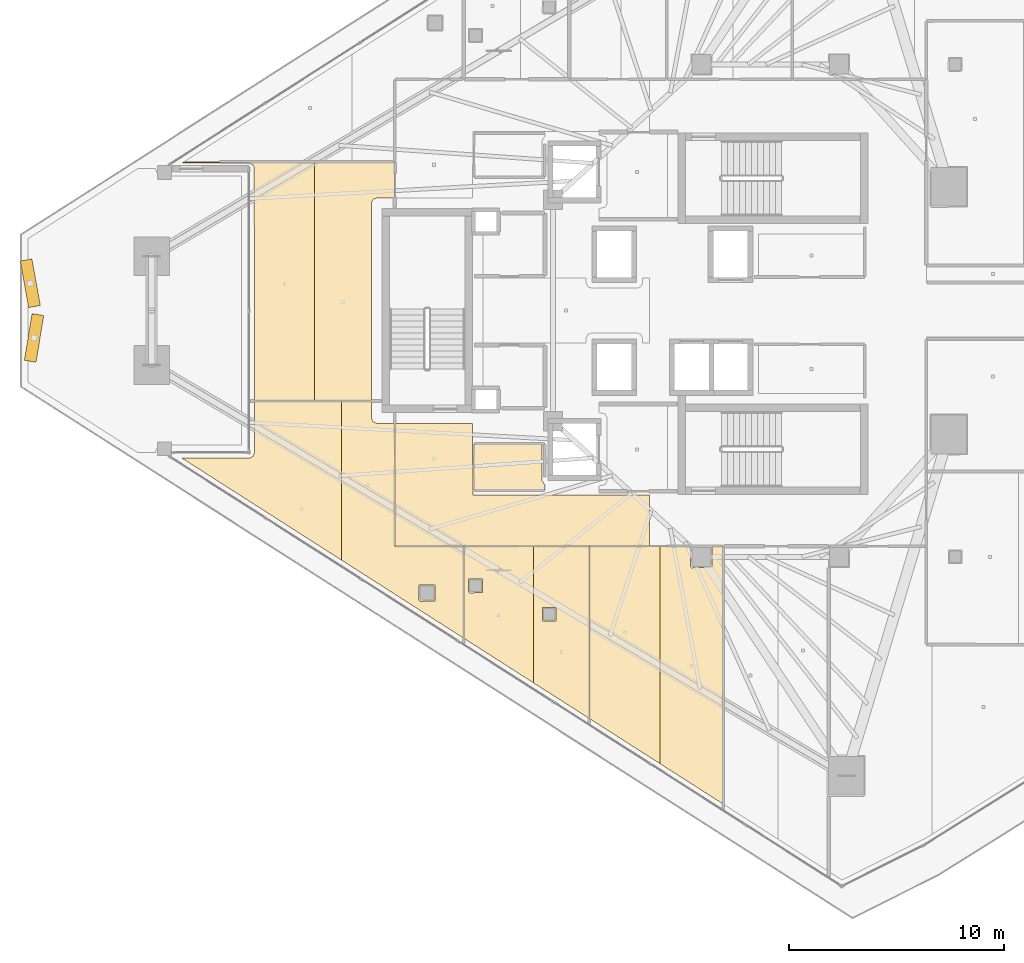
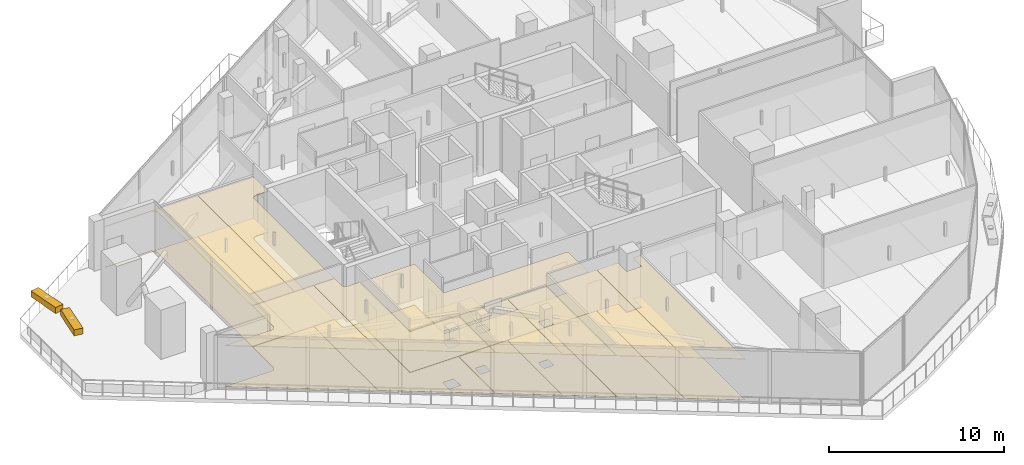
# One storey, part 35 of 40: 19 coverings, 2 shading devices.
"""IFC4 building model written with IfcOpenShell, lengths in metres."""

import ifcopenshell
import ifcopenshell.guid

model = None  # the IFC model being written
_history = None  # IfcOwnerHistory: only IFC2X3 demands one
_inside = {}  # id of a spatial element -> (the spatial element, [elements in it])
_under = {}  # id of a project, library or spatial element -> (it, [spatial elements below it])
_declared = {}  # id of a project -> (the project, [libraries it declares])
_typed = {}  # id of a type object -> (the type object, [elements of that type])
_made_of = {}  # id of a material, layer set ... -> (it, [elements and type objects made of it])


def new_model(schema):
    """Start an empty IFC model of exactly this schema.

    Asked for "IFC4X3", IfcOpenShell would pick the latest addendum, in which some entities
    have other attributes; the version numbers below select the first issue.
    IFC2X3 requires an IfcOwnerHistory on every rooted entity: one is made here for all.
    """
    global model, _history
    if schema == "IFC4X3":
        model = ifcopenshell.file(schema_version=(4, 3, 0, 0))
    else:
        model = ifcopenshell.file(schema=schema)
    _inside.clear()
    _under.clear()
    _declared.clear()
    _typed.clear()
    _made_of.clear()
    _history = None
    if model.schema == "IFC2X3":
        org = make("IfcOrganization", Name="unknown")
        user = make(
            "IfcPersonAndOrganization",
            ThePerson=make("IfcPerson", FamilyName="unknown"),
            TheOrganization=org,
        )
        app = make(
            "IfcApplication",
            ApplicationDeveloper=org,
            Version="unknown",
            ApplicationFullName="unknown",
            ApplicationIdentifier="unknown",
        )
        _history = make(
            "IfcOwnerHistory",
            OwningUser=user,
            OwningApplication=app,
            ChangeAction="ADDED",
            CreationDate=0,
        )
    return model


def make(cls, **values):
    """One entity of the class cls with the attributes given. An attribute that is None is left unset."""
    return model.create_entity(
        cls, **{name: value for name, value in values.items() if value is not None}
    )


def rooted(cls, **values):
    """An entity with a GlobalId (a new one), such as an element, a storey or a relation."""
    return make(cls, GlobalId=ifcopenshell.guid.new(), OwnerHistory=_history, **values)


def si_unit(unit_type, name, prefix=None):
    """IfcSIUnit, for example si_unit("LENGTHUNIT", "METRE", prefix="MILLI")."""
    return make("IfcSIUnit", UnitType=unit_type, Prefix=prefix, Name=name)


def assignment(units):
    """IfcUnitAssignment: the units of a project."""
    return None if units is None else make("IfcUnitAssignment", Units=units)


def point(xyz):
    """IfcCartesianPoint."""
    return None if xyz is None else make("IfcCartesianPoint", Coordinates=xyz)


def direction(xyz):
    """IfcDirection."""
    return None if xyz is None else make("IfcDirection", DirectionRatios=xyz)


def frame(location, z_axis=None, x_axis=None):
    """IfcAxis2Placement3D, a coordinate frame: its origin and axes. An axis left out is left unset."""
    return make(
        "IfcAxis2Placement3D",
        Location=point(location),
        Axis=direction(z_axis),
        RefDirection=direction(x_axis),
    )


def frame_2d(location, x_axis=None):
    """IfcAxis2Placement2D, a coordinate frame in the plane: its origin and x axis."""
    return make(
        "IfcAxis2Placement2D", Location=point(location), RefDirection=direction(x_axis)
    )


def origin():
    """The frame at (0, 0, 0) with its axes left unset."""
    return frame((0.0, 0.0, 0.0))


def origin_2d():
    """The frame at (0, 0) in the plane with its x axis left unset."""
    return frame_2d((0.0, 0.0))


def place(relative_to, where):
    """IfcLocalPlacement: puts the frame where relative to a parent placement (None: the world)."""
    return make(
        "IfcLocalPlacement", PlacementRelTo=relative_to, RelativePlacement=where
    )


def context(
    kind, dimensions, precision=None, world=None, true_north=None, identifier=None
):
    """IfcGeometricRepresentationContext, for example the 3D "Model" context."""
    return make(
        "IfcGeometricRepresentationContext",
        ContextIdentifier=identifier,
        ContextType=kind,
        CoordinateSpaceDimension=dimensions,
        Precision=precision,
        WorldCoordinateSystem=world,
        TrueNorth=true_north,
    )


def subcontext(parent, identifier, kind, view, scale=None):
    """IfcGeometricRepresentationSubContext, for example "Body" below "Model"."""
    return make(
        "IfcGeometricRepresentationSubContext",
        ContextIdentifier=identifier,
        ContextType=kind,
        ParentContext=parent,
        TargetScale=scale,
        TargetView=view,
    )


def project(units=None, contexts=None):
    """IfcProject with its units and contexts."""
    return rooted(
        "IfcProject",
        Name="project",
        RepresentationContexts=contexts,
        UnitsInContext=assignment(units),
    )


def spatial(cls, under=None, at=None, **own):
    """A site, building, storey or space (cls), placed at a placement, below another one or the project."""
    s = rooted(cls, ObjectPlacement=at, **own)
    if under is not None:
        _under.setdefault(under.id(), (under, []))[1].append(s)
    return s


def polyline(points):
    """IfcPolyline through the points."""
    return make("IfcPolyline", Points=[point(p) for p in points])


def profile(cls, at=None, kind="AREA", **sizes):
    """A parametric profile (cls). Its sizes go by their IFC names, for example OverallWidth=200.0."""
    return make(cls, ProfileType=kind, Position=at, **sizes)


def rectangle(**sizes):
    """IfcRectangleProfileDef."""
    return profile("IfcRectangleProfileDef", **sizes)


def outline(outer, holes=None, kind="AREA"):
    """IfcArbitraryClosedProfileDef: a profile drawn as a closed curve; with holes, ...WithVoids."""
    if holes is None:
        return make("IfcArbitraryClosedProfileDef", ProfileType=kind, OuterCurve=outer)
    return make(
        "IfcArbitraryProfileDefWithVoids",
        ProfileType=kind,
        OuterCurve=outer,
        InnerCurves=holes,
    )


def extrude(swept, where, along, depth):
    """IfcExtrudedAreaSolid: the profile swept, set in the frame where, extruded along a direction by depth."""
    return make(
        "IfcExtrudedAreaSolid",
        SweptArea=swept,
        Position=where,
        ExtrudedDirection=direction(along),
        Depth=depth,
    )


def shape(context_of_items, identifier, shape_type, items):
    """IfcShapeRepresentation: the items that make up one representation, for example the "Body"."""
    return make(
        "IfcShapeRepresentation",
        ContextOfItems=context_of_items,
        RepresentationIdentifier=identifier,
        RepresentationType=shape_type,
        Items=items,
    )


def material(Name=None, Category=None):
    """IfcMaterial."""
    return make("IfcMaterial", Name=Name, Category=Category)


def layer(
    of_material, thickness, ventilated=None, Name=None, Category=None, Priority=None
):
    """IfcMaterialLayer: one layer of a wall or slab, of a material (None: an air gap)."""
    return make(
        "IfcMaterialLayer",
        Material=of_material,
        LayerThickness=thickness,
        IsVentilated=ventilated,
        Name=Name,
        Category=Category,
        Priority=Priority,
    )


def layer_set(layers, Name=None):
    """IfcMaterialLayerSet."""
    return make("IfcMaterialLayerSet", MaterialLayers=layers, LayerSetName=Name)


def made_of(thing, what):
    """Note that an element or type object is made of a material, layer set ...; save() writes the relation."""
    if what is not None:
        _made_of.setdefault(what.id(), (what, []))[1].append(thing)
    return thing


def type_object(cls, material=None, **own):
    """A type object (cls), such as IfcWallType, which elements share."""
    return made_of(rooted(cls, **own), material)


def element(
    cls,
    number,
    at=None,
    inside=None,
    cuts=None,
    type_object=None,
    material=None,
    context=None,
    identifier="Body",
    shape_type=None,
    held_by="IfcProductDefinitionShape",
    body=None,
    shapes=None,
    **own,
):
    """One element of the class cls, such as IfcWall. Its Tag is "e" and its number.

    at: its placement. inside: the storey or other place that contains it. cuts: it is an
    opening in that element (IfcRelVoidsElement). A single representation is given by context,
    identifier, shape_type and body (its items); several are given by shapes. held_by: the class
    of the entity that holds the representations. save() writes the other relations.
    """
    e = rooted(cls, Tag="e%d" % number, ObjectPlacement=at, **own)
    if body is not None:
        shapes = [shape(context, identifier, shape_type, body)]
    if shapes is not None:
        e.Representation = make(held_by, Representations=shapes)
    if inside is not None:
        _inside.setdefault(inside.id(), (inside, []))[1].append(e)
    if cuts is not None:
        rooted(
            "IfcRelVoidsElement", RelatingBuildingElement=cuts, RelatedOpeningElement=e
        )
    if type_object is not None:
        _typed.setdefault(type_object.id(), (type_object, []))[1].append(e)
    return made_of(e, material)


def aggregate(whole, parts):
    """IfcRelAggregates: a whole, such as a stair, and the parts it consists of."""
    return rooted("IfcRelAggregates", RelatingObject=whole, RelatedObjects=parts)


def save(model, path):
    """Write the relations noted so far, then the file.

    IfcRelAggregates (storeys below a building ...), IfcRelContainedInSpatialStructure (elements
    in a storey), IfcRelDefinesByType, IfcRelAssociatesMaterial and IfcRelDeclares: one each for
    every whole, place, type object, material and project.
    """
    for whole, parts in _under.values():
        aggregate(whole, parts)
    for where, things in _inside.values():
        rooted(
            "IfcRelContainedInSpatialStructure",
            RelatedElements=things,
            RelatingStructure=where,
        )
    for kind, things in _typed.values():
        rooted("IfcRelDefinesByType", RelatedObjects=things, RelatingType=kind)
    for what, things in _made_of.values():
        rooted("IfcRelAssociatesMaterial", RelatedObjects=things, RelatingMaterial=what)
    for by, libraries in _declared.values():
        rooted("IfcRelDeclares", RelatingContext=by, RelatedDefinitions=libraries)
    model.write(path)


model = new_model("IFC4")

# Units and contexts
model_context = context("Model", 3, precision=1e-05, world=origin(), true_north=direction((0.0, 1.0)))
body_context = subcontext(model_context, "Body", "Model", "MODEL_VIEW")
ifc_project = project(units=[si_unit("LENGTHUNIT", "METRE"), si_unit("AREAUNIT", "SQUARE_METRE"), si_unit("VOLUMEUNIT", "CUBIC_METRE"), si_unit("PLANEANGLEUNIT", "RADIAN"), si_unit("MASSUNIT", "GRAM", prefix="KILO")], contexts=[model_context])

# Site, building, storey
site_placement = place(None, origin())
site = spatial("IfcSite", under=ifc_project, at=site_placement, CompositionType="ELEMENT")
building_placement = place(site_placement, origin())
building = spatial("IfcBuilding", under=site, at=building_placement, Name="Qorvath Tower", CompositionType="ELEMENT")
storey_placement = place(building_placement, frame((0.0, 0.0, 225.300048828125)))
storey = spatial("IfcBuildingStorey", under=building, at=storey_placement, Name="L52", CompositionType="ELEMENT", Elevation=225.300048828125)

# Coverings
ifc_material_1 = material(Name="Acoustic mineral fibre ceiling tile", Category="gypsum")
ifc_layer_1 = layer(ifc_material_1, 0.030029296875)
ifc_layer_set_1 = layer_set([ifc_layer_1], Name="COV-CEIL")
covering_type_1 = type_object("IfcCoveringType", Name="COV-CEIL", PredefinedType="CEILING", material=ifc_layer_set_1)
covering_1_placement = place(storey_placement, frame((0.0, 0.0, 2.849853515625)))
element("IfcCovering", 1, at=covering_1_placement, inside=storey, type_object=covering_type_1, Name="L52 Suspended Acoustic Ceiling 009", PredefinedType="CEILING", context=body_context, shape_type="SweptSolid", body=[
    extrude(outline(polyline([(-34.22509765625, -8.580078125), (-34.251220703125, -5.239990234375), (-37.844970703125, -5.239990234375), (-37.844970703125, -10.945068359375), (-26.019775390625, -10.945068359375), (-26.019775390625, -8.57470703125), (-34.22509765625, -8.580078125)])), origin(), (0.0, 0.0, 1.0), 0.030029296875),
])
covering_2_placement = place(storey_placement, frame((0.0, 0.0, 2.849853515625)))
element("IfcCovering", 2, at=covering_2_placement, inside=storey, type_object=covering_type_1, Name="L52 Suspended Acoustic Ceiling 021", PredefinedType="CEILING", context=body_context, shape_type="SweptSolid", body=[
    extrude(outline(polyline([(-34.64501953125, -10.962890625), (-34.64501953125, -15.24267578125), (-31.4130859375, -17.308349609375), (-31.4130859375, -10.962890625), (-34.64501953125, -10.962890625)]), holes=[polyline([(-34.439208984375, -13.0673828125), (-34.421630859375, -12.47509765625), (-33.786865234375, -12.47509765625), (-33.786865234375, -13.10986328125), (-34.379150390625, -13.12744140625), (-34.439208984375, -13.0673828125)])]), origin(), (0.0, 0.0, 1.0), 0.030029296875),
])
covering_3_placement = place(storey_placement, frame((0.0, 0.0, 2.849853515625)))
element("IfcCovering", 3, at=covering_3_placement, inside=storey, type_object=covering_type_1, Name="L52 Suspended Acoustic Ceiling 022", PredefinedType="CEILING", context=body_context, shape_type="SweptSolid", body=[
    extrude(outline(polyline([(-31.4130859375, -10.962890625), (-31.4130859375, -17.308349609375), (-28.816162109375, -18.96826171875), (-28.816162109375, -10.962890625), (-31.4130859375, -10.962890625)]), holes=[polyline([(-30.99462890625, -14.441650390625), (-30.99462890625, -13.806884765625), (-30.35986328125, -13.806884765625), (-30.35986328125, -14.441650390625), (-30.99462890625, -14.441650390625)])]), origin(), (0.0, 0.0, 1.0), 0.030029296875),
])
covering_4_placement = place(storey_placement, frame((0.0, 0.0, 2.849853515625)))
element("IfcCovering", 4, at=covering_4_placement, inside=storey, type_object=covering_type_1, Name="L52 Suspended Acoustic Ceiling 023", PredefinedType="CEILING", context=body_context, shape_type="SweptSolid", body=[
    extrude(outline(polyline([(-28.798095703125, -10.962890625), (-28.798095703125, -18.979736328125), (-25.520263671875, -21.07470703125), (-25.520263671875, -10.962890625), (-28.798095703125, -10.962890625)])), origin(), (0.0, 0.0, 1.0), 0.030029296875),
])
covering_5_placement = place(storey_placement, frame((0.0, 0.0, 2.849853515625)))
element("IfcCovering", 5, at=covering_5_placement, inside=storey, type_object=covering_type_1, Name="L52 Suspended Acoustic Ceiling 024", PredefinedType="CEILING", context=body_context, shape_type="SweptSolid", body=[
    extrude(outline(polyline([(-25.520263671875, -10.962890625), (-25.520263671875, -21.07470703125), (-22.592041015625, -22.946044921875), (-22.592041015625, -10.962890625), (-23.105224609375, -10.962890625), (-23.107666015625, -11.9423828125), (-24.050048828125, -11.9599609375), (-24.110107421875, -11.89990234375), (-24.0947265625, -10.962890625), (-25.520263671875, -10.962890625)])), origin(), (0.0, 0.0, 1.0), 0.030029296875),
])
covering_6_placement = place(storey_placement, frame((0.0, 0.0, 2.849853515625)))
element("IfcCovering", 6, at=covering_6_placement, inside=storey, type_object=covering_type_1, Name="L52 Suspended Acoustic Ceiling 039", PredefinedType="CEILING", context=body_context, shape_type="SweptSolid", body=[
    extrude(outline(polyline([(-44.46875, -6.78564453125), (-44.59912109375, -6.854736328125), (-47.76171875, -6.859375), (-40.335205078125, -11.60595703125), (-40.335205078125, -4.209716796875), (-44.39306640625, -4.209716796875), (-44.394287109375, -6.62890625), (-44.46875, -6.78564453125)])), origin(), (0.0, 0.0, 1.0), 0.030029296875),
])
covering_7_placement = place(storey_placement, frame((0.0, 0.0, 2.849853515625)))
element("IfcCovering", 7, at=covering_7_placement, inside=storey, type_object=covering_type_1, Name="L52 Suspended Acoustic Ceiling 040", PredefinedType="CEILING", context=body_context, shape_type="SweptSolid", body=[
    extrude(outline(polyline([(-40.335205078125, -4.209716796875), (-40.335205078125, -11.60595703125), (-34.6630859375, -15.231201171875), (-34.6630859375, -10.962890625), (-37.861572265625, -10.96142578125), (-37.863037109375, -5.239990234375), (-38.699951171875, -5.239990234375), (-38.876708984375, -5.166748046875), (-38.949951171875, -4.989990234375), (-38.949951171875, -4.209716796875), (-40.335205078125, -4.209716796875)]), holes=[polyline([(-36.749755859375, -13.46044921875), (-36.732177734375, -12.76806640625), (-35.997314453125, -12.76806640625), (-35.997314453125, -13.5029296875), (-36.689697265625, -13.5205078125), (-36.749755859375, -13.46044921875)])]), origin(), (0.0, 0.0, 1.0), 0.030029296875),
])
covering_8_placement = place(storey_placement, frame((0.0, 0.0, 2.849853515625)))
element("IfcCovering", 8, at=covering_8_placement, inside=storey, type_object=covering_type_1, Name="L52 Suspended Acoustic Ceiling 041", PredefinedType="CEILING", context=body_context, shape_type="SweptSolid", body=[
    extrude(outline(polyline([(-44.466796875, 6.78369140625), (-44.397705078125, 6.6533203125), (-44.39306640625, -4.191650390625), (-41.5888671875, -4.191650390625), (-41.5888671875, 6.90576171875), (-47.689208984375, 6.90576171875), (-47.76171875, 6.859375), (-44.62353515625, 6.8583984375), (-44.466796875, 6.78369140625)])), origin(), (0.0, 0.0, 1.0), 0.030029296875),
])
covering_9_placement = place(storey_placement, frame((0.0, 0.0, 2.849853515625)))
element("IfcCovering", 9, at=covering_9_placement, inside=storey, type_object=covering_type_1, Name="L52 Suspended Acoustic Ceiling 042", PredefinedType="CEILING", context=body_context, shape_type="SweptSolid", body=[
    extrude(outline(polyline([(-41.5888671875, 6.90576171875), (-41.5888671875, -4.191650390625), (-38.949951171875, -4.191650390625), (-38.949951171875, 4.989990234375), (-38.876708984375, 5.166748046875), (-38.699951171875, 5.239990234375), (-37.863037109375, 5.239990234375), (-37.863037109375, 6.90576171875), (-41.5888671875, 6.90576171875)])), origin(), (0.0, 0.0, 1.0), 0.030029296875),
])
ifc_material_2 = material(Name="Low-VOC modular carpet tile", Category="textile")
ifc_layer_2 = layer(ifc_material_2, 0.014892578125)
ifc_layer_set_2 = layer_set([ifc_layer_2], Name="COV-FLOOR-CPT")
covering_type_2 = type_object("IfcCoveringType", Name="COV-FLOOR-CPT", PredefinedType="FLOORING", material=ifc_layer_set_2)
covering_10_placement = place(storey_placement, origin())
element("IfcCovering", 10, at=covering_10_placement, inside=storey, type_object=covering_type_2, Name="L52 Floor Finish 021", PredefinedType="FLOORING", context=body_context, shape_type="SweptSolid", body=[
    extrude(outline(polyline([(-34.64501953125, -10.962890625), (-34.64501953125, -15.24267578125), (-31.4130859375, -17.308349609375), (-31.4130859375, -10.962890625), (-34.64501953125, -10.962890625)]), holes=[polyline([(-34.439208984375, -13.0673828125), (-34.421630859375, -12.47509765625), (-33.786865234375, -12.47509765625), (-33.786865234375, -13.10986328125), (-34.379150390625, -13.12744140625), (-34.439208984375, -13.0673828125)])]), origin(), (0.0, 0.0, 1.0), 0.014892578125),
])
covering_11_placement = place(storey_placement, origin())
element("IfcCovering", 11, at=covering_11_placement, inside=storey, type_object=covering_type_2, Name="L52 Floor Finish 022", PredefinedType="FLOORING", context=body_context, shape_type="SweptSolid", body=[
    extrude(outline(polyline([(-31.4130859375, -10.962890625), (-31.4130859375, -17.308349609375), (-28.816162109375, -18.96826171875), (-28.816162109375, -10.962890625), (-31.4130859375, -10.962890625)]), holes=[polyline([(-30.99462890625, -14.441650390625), (-30.99462890625, -13.806884765625), (-30.35986328125, -13.806884765625), (-30.35986328125, -14.441650390625), (-30.99462890625, -14.441650390625)])]), origin(), (0.0, 0.0, 1.0), 0.014892578125),
])
covering_12_placement = place(storey_placement, origin())
element("IfcCovering", 12, at=covering_12_placement, inside=storey, type_object=covering_type_2, Name="L52 Floor Finish 023", PredefinedType="FLOORING", context=body_context, shape_type="SweptSolid", body=[
    extrude(outline(polyline([(-28.798095703125, -10.962890625), (-28.798095703125, -18.979736328125), (-25.520263671875, -21.07470703125), (-25.520263671875, -10.962890625), (-28.798095703125, -10.962890625)])), origin(), (0.0, 0.0, 1.0), 0.014892578125),
])
covering_13_placement = place(storey_placement, origin())
element("IfcCovering", 13, at=covering_13_placement, inside=storey, type_object=covering_type_2, Name="L52 Floor Finish 024", PredefinedType="FLOORING", context=body_context, shape_type="SweptSolid", body=[
    extrude(outline(polyline([(-25.520263671875, -10.962890625), (-25.520263671875, -21.07470703125), (-22.592041015625, -22.946044921875), (-22.592041015625, -10.962890625), (-23.105224609375, -10.962890625), (-23.107666015625, -11.9423828125), (-24.050048828125, -11.9599609375), (-24.110107421875, -11.89990234375), (-24.0947265625, -10.962890625), (-25.520263671875, -10.962890625)])), origin(), (0.0, 0.0, 1.0), 0.014892578125),
])
covering_14_placement = place(storey_placement, origin())
element("IfcCovering", 14, at=covering_14_placement, inside=storey, type_object=covering_type_2, Name="L52 Floor Finish 039", PredefinedType="FLOORING", context=body_context, shape_type="SweptSolid", body=[
    extrude(outline(polyline([(-44.46875, -6.78564453125), (-44.59912109375, -6.854736328125), (-47.76171875, -6.859375), (-40.335205078125, -11.60595703125), (-40.335205078125, -4.209716796875), (-44.39306640625, -4.209716796875), (-44.394287109375, -6.62890625), (-44.46875, -6.78564453125)])), origin(), (0.0, 0.0, 1.0), 0.014892578125),
])
covering_15_placement = place(storey_placement, origin())
element("IfcCovering", 15, at=covering_15_placement, inside=storey, type_object=covering_type_2, Name="L52 Floor Finish 040", PredefinedType="FLOORING", context=body_context, shape_type="SweptSolid", body=[
    extrude(outline(polyline([(-40.335205078125, -4.209716796875), (-40.335205078125, -11.60595703125), (-34.6630859375, -15.231201171875), (-34.6630859375, -10.962890625), (-37.861572265625, -10.96142578125), (-37.863037109375, -5.239990234375), (-38.699951171875, -5.239990234375), (-38.876708984375, -5.166748046875), (-38.949951171875, -4.989990234375), (-38.949951171875, -4.209716796875), (-40.335205078125, -4.209716796875)]), holes=[polyline([(-36.749755859375, -13.46044921875), (-36.732177734375, -12.76806640625), (-35.997314453125, -12.76806640625), (-35.997314453125, -13.5029296875), (-36.689697265625, -13.5205078125), (-36.749755859375, -13.46044921875)])]), origin(), (0.0, 0.0, 1.0), 0.014892578125),
])
covering_16_placement = place(storey_placement, origin())
element("IfcCovering", 16, at=covering_16_placement, inside=storey, type_object=covering_type_2, Name="L52 Floor Finish 041", PredefinedType="FLOORING", context=body_context, shape_type="SweptSolid", body=[
    extrude(outline(polyline([(-44.466796875, 6.78369140625), (-44.397705078125, 6.6533203125), (-44.39306640625, -4.191650390625), (-41.5888671875, -4.191650390625), (-41.5888671875, 6.90576171875), (-47.689208984375, 6.90576171875), (-47.76171875, 6.859375), (-44.62353515625, 6.8583984375), (-44.466796875, 6.78369140625)])), origin(), (0.0, 0.0, 1.0), 0.014892578125),
])
covering_17_placement = place(storey_placement, origin())
element("IfcCovering", 17, at=covering_17_placement, inside=storey, type_object=covering_type_2, Name="L52 Floor Finish 042", PredefinedType="FLOORING", context=body_context, shape_type="SweptSolid", body=[
    extrude(outline(polyline([(-41.5888671875, 6.90576171875), (-41.5888671875, -4.191650390625), (-38.949951171875, -4.191650390625), (-38.949951171875, 4.989990234375), (-38.876708984375, 5.166748046875), (-38.699951171875, 5.239990234375), (-37.863037109375, 5.239990234375), (-37.863037109375, 6.90576171875), (-41.5888671875, 6.90576171875)])), origin(), (0.0, 0.0, 1.0), 0.014892578125),
])
ifc_material_3 = material(Name="Polished epoxy terrazzo flooring", Category="concrete")
ifc_layer_3 = layer(ifc_material_3, 0.02001953125)
ifc_layer_set_3 = layer_set([ifc_layer_3], Name="COV-FLOOR-TRZ")
covering_type_3 = type_object("IfcCoveringType", Name="COV-FLOOR-TRZ", PredefinedType="FLOORING", material=ifc_layer_set_3)
covering_18_placement = place(storey_placement, origin())
element("IfcCovering", 18, at=covering_18_placement, inside=storey, type_object=covering_type_3, Name="L52 Floor Finish 007", PredefinedType="FLOORING", context=body_context, shape_type="SweptSolid", body=[
    extrude(outline(polyline([(-30.885009765625, -8.344970703125), (-30.885009765625, -8.108154296875), (-31.010009765625, -7.909912109375), (-31.010009765625, -6.205078125), (-34.175048828125, -6.205078125), (-34.175048828125, -8.344970703125), (-30.885009765625, -8.344970703125)])), origin(), (0.0, 0.0, 1.0), 0.014892578125),
])
covering_19_placement = place(storey_placement, origin())
element("IfcCovering", 19, at=covering_19_placement, inside=storey, type_object=covering_type_3, Name="L52 Floor Finish 009", PredefinedType="FLOORING", context=body_context, shape_type="SweptSolid", body=[
    extrude(outline(polyline([(-34.22509765625, -8.580078125), (-34.251220703125, -5.239990234375), (-37.844970703125, -5.239990234375), (-37.844970703125, -10.945068359375), (-26.019775390625, -10.945068359375), (-26.019775390625, -8.57470703125), (-34.22509765625, -8.580078125)])), origin(), (0.0, 0.0, 1.0), 0.014892578125),
])

# Shading devices
ifc_material_4 = material(Name="Anodised bronze-champagne aluminium", Category="aluminium")
shading_device_type = type_object("IfcShadingDeviceType", Name="SD-LOUVRE", PredefinedType="JALOUSIE", material=ifc_material_4)
for number, where, z_axis, x_axis, name in (
    (20, (-54.81103515625, 1.271484375, 3.360107421875), (0.0, 0.0, 1.0), (0.178706050876, -0.983902509083, 0.0), "Sinusoidal Wave Louvre Blade L52-01"),
    (21, (-54.63671875, -1.271484375, 3.360107421875), (0.0, 0.0, 1.0), (-0.16192762137, -0.986802637531, 0.0), "Sinusoidal Wave Louvre Blade L52-02"),
):
    element("IfcShadingDevice", number, at=place(storey_placement, frame(where, z_axis=z_axis, x_axis=x_axis)), inside=storey, type_object=shading_device_type, Name=name, PredefinedType="NOTDEFINED", context=body_context, shape_type="SweptSolid", body=[
        extrude(rectangle(XDim=2.199951171875, YDim=0.550048828125, at=origin_2d()), origin(), (0.0, 0.0, 1.0), 0.419921875),
    ])

save(model, "model.ifc")
